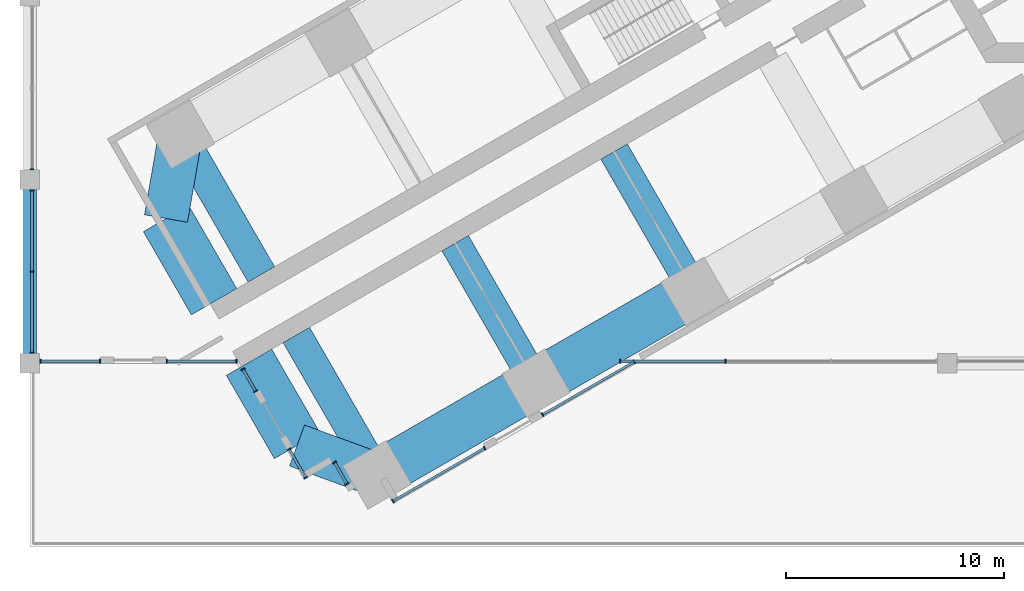
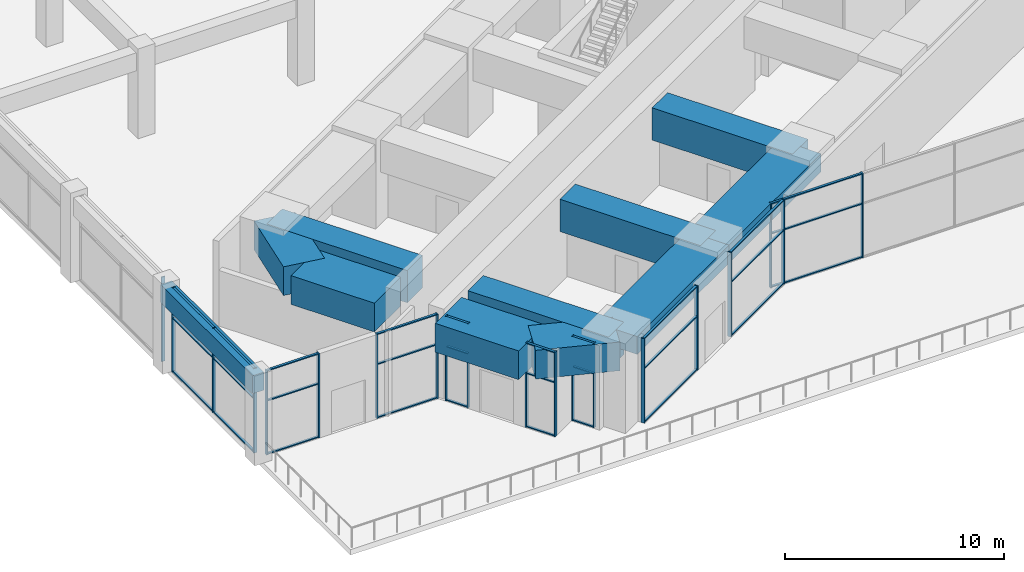
# One storey, part 2 of 34: 50 members, 11 beams, 10 elements without a shape of their own.
"""IFC4 building model written with IfcOpenShell, lengths in metres."""

from ifc_helpers import new_model, si_unit, direction, frame, origin, origin_2d, place, context, subcontext, project, spatial, rectangle, extrude, material, material_profile, profile_set, type_object, element, aggregate, save


model = new_model("IFC4")

# Units and contexts
model_context = context("Model", 3, precision=1e-05, world=origin(), true_north=direction((0.0, 1.0)))
body_context = subcontext(model_context, "Body", "Model", "MODEL_VIEW")
ifc_project = project(units=[si_unit("LENGTHUNIT", "METRE"), si_unit("AREAUNIT", "SQUARE_METRE"), si_unit("VOLUMEUNIT", "CUBIC_METRE"), si_unit("PLANEANGLEUNIT", "RADIAN"), si_unit("MASSUNIT", "GRAM", prefix="KILO")], contexts=[model_context])

# Site, building, storey
site_placement = place(None, origin())
site = spatial("IfcSite", under=ifc_project, at=site_placement, CompositionType="ELEMENT")
building_placement = place(site_placement, origin())
building = spatial("IfcBuilding", under=site, at=building_placement, Name="Impinga Residences", CompositionType="ELEMENT")
storey_placement = place(building_placement, frame((0.0, 0.0, 11.0)))
storey = spatial("IfcBuildingStorey", under=building, at=storey_placement, Name="L02", CompositionType="ELEMENT", Elevation=11.0)

# Beams
ifc_material_1 = material(Name="Concrete C60/75", Category="concrete")
ifc_material_profile_1 = material_profile(ifc_material_1, rectangle(XDim=2.0, YDim=1.60009765625, at=origin_2d()), Name="RC 2000x1600")
ifc_profile_set_1 = profile_set([ifc_material_profile_1], Name="Concrete C60/75")
beam_type_1 = type_object("IfcBeamType", Name="CB2 2000x1600 wing end cantilever beam", PredefinedType="BEAM", material=ifc_profile_set_1)
beam_1_placement = place(storey_placement, frame((-34.49853515625, -30.31005859375, 3.89990234375), z_axis=(-0.938520178725, 0.345224382289, 0.0), x_axis=(-0.345224382289, -0.938520178725, 0.0)))
element("IfcBeam", 1, at=beam_1_placement, inside=storey, type_object=beam_type_1, Name="Beam CB2 WB W5-WX level L03", PredefinedType="BEAM", context=body_context, shape_type="SweptSolid", body=[
    extrude(rectangle(XDim=2.0, YDim=1.60009765625, at=origin_2d()), origin(), (0.0, 0.0, 1.0), 3.905029296875),
])
beam_2_placement = place(storey_placement, frame((-43.49853515625, -14.721435546875, 3.89990234375), z_axis=(-0.170296298948, -0.985392901621, 0.0), x_axis=(0.985392901621, -0.170296298948, 0.0)))
element("IfcBeam", 2, at=beam_2_placement, inside=storey, type_object=beam_type_1, Name="Beam CB2 WE W5-WX level L03", PredefinedType="BEAM", context=body_context, shape_type="SweptSolid", body=[
    extrude(rectangle(XDim=2.0, YDim=1.60009765625, at=origin_2d()), origin(), (0.0, 0.0, 1.0), 3.9052734375),
])
ifc_material_profile_2 = material_profile(ifc_material_1, rectangle(XDim=1.39990234375, YDim=1.800048828125, at=origin_2d()), Name="RC 1400x1800")
ifc_profile_set_2 = profile_set([ifc_material_profile_2], Name="Concrete C60/75")
beam_type_2 = type_object("IfcBeamType", Name="CG4 1400x1800 cross girder on a wing bay line under the podium floors", PredefinedType="BEAM", material=ifc_profile_set_2)
beam_3_placement = place(storey_placement, frame((-23.649169921875, -15.50146484375, 3.800048828125), z_axis=(0.500003285667, -0.866023506795, 0.0), x_axis=(0.866023506795, 0.500003285667, 0.0)))
element("IfcBeam", 3, at=beam_3_placement, inside=storey, type_object=beam_type_2, Name="Beam CG4 W3 WC/WA level L03", PredefinedType="BEAM", context=body_context, shape_type="SweptSolid", body=[
    extrude(rectangle(XDim=1.39990234375, YDim=1.800048828125, at=origin_2d()), origin(), (0.0, 0.0, 1.0), 7.39990234375),
])
for number, where, z_axis, x_axis, name in (
    (4, (-30.923828125, -19.701416015625, 3.800048828125), (0.499988999718, -0.866031754707, 0.0), (0.866031754707, 0.499988999718, 0.0), "Beam CG4 W4 WC/WA level L03"),
    (5, (-38.198486328125, -23.9013671875, 3.800048828125), (0.499988999718, -0.866031754707, 0.0), (0.866031754707, 0.499988999718, 0.0), "Beam CG4 W5 WC/WA level L03"),
    (6, (-39.79833984375, -21.130126953125, 3.800048828125), (-0.500013743233, 0.86601746898, 0.0), (-0.86601746898, -0.500013743233, 0.0), "Beam CG4 W5 WC/WF level L03"),
):
    element("IfcBeam", number, at=place(storey_placement, frame(where, z_axis=z_axis, x_axis=x_axis)), inside=storey, type_object=beam_type_2, Name=name, PredefinedType="BEAM", context=body_context, shape_type="SweptSolid", body=[
        extrude(rectangle(XDim=1.39990234375, YDim=1.800048828125, at=origin_2d()), origin(), (0.0, 0.0, 1.0), 7.400146484375),
    ])

# Curtain wall, members
ifc_material_2 = material(Name="Aluminium stick curtain wall", Category="aluminium")
curtain_wall_type = type_object("IfcCurtainWallType", Name="CW1 podium amenity curtain wall", PredefinedType="USERDEFINED", material=ifc_material_2)
curtain_wall_1_placement = place(storey_placement, origin())
curtain_wall_1 = element("IfcCurtainWall", 7, at=curtain_wall_1_placement, inside=storey, type_object=curtain_wall_type, Name="Curtain wall CW1 L02", ObjectType="STICK CURTAIN WALL", PredefinedType="USERDEFINED")
ifc_material_3 = material(Name="Aluminium mullion", Category="aluminium")
ifc_material_profile_3 = material_profile(ifc_material_3, rectangle(XDim=0.06005859375, YDim=0.179931640625, at=origin_2d()), Name="60x180 mullion")
ifc_profile_set_3 = profile_set([ifc_material_profile_3], Name="Aluminium mullion")
member_type_1 = type_object("IfcMemberType", Name="CW1-M mullion 60x180", PredefinedType="MULLION", material=ifc_profile_set_3)
member_1_placement = place(storey_placement, frame((-35.8759765625, -30.72412109375, 0.0), z_axis=(0.0, 0.0, 1.0), x_axis=(-0.499999813995, 0.866025511175, 0.0)))
member_1 = element("IfcMember", 8, at=member_1_placement, type_object=member_type_1, Name="CW1 mullion 1", PredefinedType="MULLION", context=body_context, shape_type="SweptSolid", body=[
    extrude(rectangle(XDim=0.06005859375, YDim=0.179931640625, at=origin_2d()), origin(), (0.0, 0.0, 1.0), 4.699951171875),
])
member_2_placement = place(storey_placement, frame((-36.44580078125, -29.737060546875, 0.0), z_axis=(0.0, 0.0, 1.0), x_axis=(-0.499999813995, 0.866025511175, 0.0)))
member_2 = element("IfcMember", 9, at=member_2_placement, type_object=member_type_1, Name="CW1 mullion 2", PredefinedType="MULLION", context=body_context, shape_type="SweptSolid", body=[
    extrude(rectangle(XDim=0.06005859375, YDim=0.179931640625, at=origin_2d()), origin(), (0.0, 0.0, 1.0), 4.699951171875),
])

curtain_wall_2_placement = place(storey_placement, origin())
curtain_wall_2 = element("IfcCurtainWall", 10, at=curtain_wall_2_placement, inside=storey, type_object=curtain_wall_type, Name="Curtain wall CW1 L02", ObjectType="STICK CURTAIN WALL", PredefinedType="USERDEFINED")
member_3_placement = place(storey_placement, frame((-37.77490234375, -30.43505859375, 0.0), z_axis=(0.0, 0.0, 1.0), x_axis=(-0.499999723955, 0.866025563159, 0.0)))
member_3 = element("IfcMember", 11, at=member_3_placement, type_object=member_type_1, Name="CW1 mullion 1", PredefinedType="MULLION", context=body_context, shape_type="SweptSolid", body=[
    extrude(rectangle(XDim=0.06005859375, YDim=0.179931640625, at=origin_2d()), origin(), (0.0, 0.0, 1.0), 4.699951171875),
])
member_4_placement = place(storey_placement, frame((-38.528076171875, -29.130615234375, 0.0), z_axis=(0.0, 0.0, 1.0), x_axis=(-0.499999723955, 0.866025563159, 0.0)))
member_4 = element("IfcMember", 12, at=member_4_placement, type_object=member_type_1, Name="CW1 mullion 2", PredefinedType="MULLION", context=body_context, shape_type="SweptSolid", body=[
    extrude(rectangle(XDim=0.06005859375, YDim=0.179931640625, at=origin_2d()), origin(), (0.0, 0.0, 1.0), 4.699951171875),
])

curtain_wall_3_placement = place(storey_placement, origin())
curtain_wall_3 = element("IfcCurtainWall", 13, at=curtain_wall_3_placement, inside=storey, type_object=curtain_wall_type, Name="Curtain wall CW1 L02", ObjectType="STICK CURTAIN WALL", PredefinedType="USERDEFINED")
member_5_placement = place(storey_placement, frame((-40.05810546875, -26.48046875, 0.0), z_axis=(0.0, 0.0, 1.0), x_axis=(-0.500000310039, 0.866025224783, 0.0)))
member_5 = element("IfcMember", 14, at=member_5_placement, type_object=member_type_1, Name="CW1 mullion 1", PredefinedType="MULLION", context=body_context, shape_type="SweptSolid", body=[
    extrude(rectangle(XDim=0.06005859375, YDim=0.179931640625, at=origin_2d()), origin(), (0.0, 0.0, 1.0), 4.699951171875),
])
member_6_placement = place(storey_placement, frame((-40.637939453125, -25.47607421875, 0.0), z_axis=(0.0, 0.0, 1.0), x_axis=(-0.500000310039, 0.866025224783, 0.0)))
member_6 = element("IfcMember", 15, at=member_6_placement, type_object=member_type_1, Name="CW1 mullion 2", PredefinedType="MULLION", context=body_context, shape_type="SweptSolid", body=[
    extrude(rectangle(XDim=0.06005859375, YDim=0.179931640625, at=origin_2d()), origin(), (0.0, 0.0, 1.0), 4.699951171875),
])

curtain_wall_4_placement = place(storey_placement, origin())
curtain_wall_4 = element("IfcCurtainWall", 16, at=curtain_wall_4_placement, inside=storey, type_object=curtain_wall_type, Name="Curtain wall CW1 L02", ObjectType="STICK CURTAIN WALL", PredefinedType="USERDEFINED")
member_7_placement = place(storey_placement, frame((-40.94287109375, -25.10009765625, 0.0), z_axis=(0.0, 0.0, 1.0), x_axis=(-1.0, 0.0, 0.0)))
member_7 = element("IfcMember", 17, at=member_7_placement, type_object=member_type_1, Name="CW1 mullion 1", PredefinedType="MULLION", context=body_context, shape_type="SweptSolid", body=[
    extrude(rectangle(XDim=0.06005859375, YDim=0.179931640625, at=origin_2d()), origin(), (0.0, 0.0, 1.0), 4.699951171875),
])
member_8_placement = place(storey_placement, frame((-44.12646484375, -25.10009765625, 0.0), z_axis=(0.0, 0.0, 1.0), x_axis=(-1.0, 0.0, 0.0)))
member_8 = element("IfcMember", 18, at=member_8_placement, type_object=member_type_1, Name="CW1 mullion 2", PredefinedType="MULLION", context=body_context, shape_type="SweptSolid", body=[
    extrude(rectangle(XDim=0.06005859375, YDim=0.179931640625, at=origin_2d()), origin(), (0.0, 0.0, 1.0), 4.699951171875),
])

curtain_wall_5_placement = place(storey_placement, origin())
curtain_wall_5 = element("IfcCurtainWall", 19, at=curtain_wall_5_placement, inside=storey, type_object=curtain_wall_type, Name="Curtain wall CW1 L02", ObjectType="STICK CURTAIN WALL", PredefinedType="USERDEFINED")
member_9_placement = place(storey_placement, frame((-47.1865234375, -25.10009765625, 0.0), z_axis=(0.0, 0.0, 1.0), x_axis=(-1.0, 0.0, 0.0)))
member_9 = element("IfcMember", 20, at=member_9_placement, type_object=member_type_1, Name="CW1 mullion 1", PredefinedType="MULLION", context=body_context, shape_type="SweptSolid", body=[
    extrude(rectangle(XDim=0.06005859375, YDim=0.179931640625, at=origin_2d()), origin(), (0.0, 0.0, 1.0), 4.699951171875),
])
member_10_placement = place(storey_placement, frame((-49.9169921875, -25.10009765625, 0.0), z_axis=(0.0, 0.0, 1.0), x_axis=(-1.0, 0.0, 0.0)))
member_10 = element("IfcMember", 21, at=member_10_placement, type_object=member_type_1, Name="CW1 mullion 2", PredefinedType="MULLION", context=body_context, shape_type="SweptSolid", body=[
    extrude(rectangle(XDim=0.06005859375, YDim=0.179931640625, at=origin_2d()), origin(), (0.0, 0.0, 1.0), 4.699951171875),
])

curtain_wall_6_placement = place(storey_placement, origin())
curtain_wall_6 = element("IfcCurtainWall", 22, at=curtain_wall_6_placement, inside=storey, type_object=curtain_wall_type, Name="Curtain wall CW1 L02", ObjectType="STICK CURTAIN WALL", PredefinedType="USERDEFINED")
member_11_placement = place(storey_placement, frame((-50.300048828125, -24.717041015625, 0.0), z_axis=(0.0, 0.0, 1.0), x_axis=(0.0, 1.0, 0.0)))
member_11 = element("IfcMember", 23, at=member_11_placement, type_object=member_type_1, Name="CW1 mullion 1", PredefinedType="MULLION", context=body_context, shape_type="SweptSolid", body=[
    extrude(rectangle(XDim=0.06005859375, YDim=0.179931640625, at=origin_2d()), origin(), (0.0, 0.0, 1.0), 4.699951171875),
])
member_12_placement = place(storey_placement, frame((-50.300048828125, -21.0, 0.0), z_axis=(0.0, 0.0, 1.0), x_axis=(0.0, 1.0, 0.0)))
member_12 = element("IfcMember", 24, at=member_12_placement, type_object=member_type_1, Name="CW1 mullion 2", PredefinedType="MULLION", context=body_context, shape_type="SweptSolid", body=[
    extrude(rectangle(XDim=0.06005859375, YDim=0.179931640625, at=origin_2d()), origin(), (0.0, 0.0, 1.0), 4.699951171875),
])
member_13_placement = place(storey_placement, frame((-50.300048828125, -17.282958984375, 0.0), z_axis=(0.0, 0.0, 1.0), x_axis=(0.0, 1.0, 0.0)))
member_13 = element("IfcMember", 25, at=member_13_placement, type_object=member_type_1, Name="CW1 mullion 3", PredefinedType="MULLION", context=body_context, shape_type="SweptSolid", body=[
    extrude(rectangle(XDim=0.06005859375, YDim=0.179931640625, at=origin_2d()), origin(), (0.0, 0.0, 1.0), 4.699951171875),
])

# Curtain wall, member
curtain_wall_7_placement = place(storey_placement, origin())
curtain_wall_7 = element("IfcCurtainWall", 26, at=curtain_wall_7_placement, inside=storey, type_object=curtain_wall_type, Name="Curtain wall CW1 L02", ObjectType="STICK CURTAIN WALL", PredefinedType="USERDEFINED")
member_14_placement = place(storey_placement, frame((-50.300048828125, -16.31689453125, 0.0), z_axis=(0.0, 0.0, 1.0), x_axis=(0.0, 1.0, 0.0)))
member_14 = element("IfcMember", 27, at=member_14_placement, type_object=member_type_1, Name="CW1 mullion 1", PredefinedType="MULLION", context=body_context, shape_type="SweptSolid", body=[
    extrude(rectangle(XDim=0.06005859375, YDim=0.179931640625, at=origin_2d()), origin(), (0.0, 0.0, 1.0), 4.699951171875),
])
aggregate(curtain_wall_7, [member_14])

# Curtain wall, members
curtain_wall_8_placement = place(storey_placement, origin())
curtain_wall_8 = element("IfcCurtainWall", 28, at=curtain_wall_8_placement, inside=storey, type_object=curtain_wall_type, Name="Curtain wall CW1 L02", ObjectType="STICK CURTAIN WALL", PredefinedType="USERDEFINED")
member_15_placement = place(storey_placement, frame((-18.547119140625, -25.10009765625, 0.0), z_axis=(0.0, 0.0, 1.0), x_axis=(-1.0, 0.0, 0.0)))
member_15 = element("IfcMember", 29, at=member_15_placement, type_object=member_type_1, Name="CW1 mullion 3", PredefinedType="MULLION", context=body_context, shape_type="SweptSolid", body=[
    extrude(rectangle(XDim=0.06005859375, YDim=0.179931640625, at=origin_2d()), origin(), (0.0, 0.0, 1.0), 4.699951171875),
])
member_16_placement = place(storey_placement, frame((-23.364013671875, -25.10009765625, 0.0), z_axis=(0.0, 0.0, 1.0), x_axis=(-1.0, 0.0, 0.0)))
member_16 = element("IfcMember", 30, at=member_16_placement, type_object=member_type_1, Name="CW1 mullion 4", PredefinedType="MULLION", context=body_context, shape_type="SweptSolid", body=[
    extrude(rectangle(XDim=0.06005859375, YDim=0.179931640625, at=origin_2d()), origin(), (0.0, 0.0, 1.0), 4.699951171875),
])

curtain_wall_9_placement = place(storey_placement, origin())
curtain_wall_9 = element("IfcCurtainWall", 31, at=curtain_wall_9_placement, inside=storey, type_object=curtain_wall_type, Name="Curtain wall CW1 L02", ObjectType="STICK CURTAIN WALL", PredefinedType="USERDEFINED")
member_17_placement = place(storey_placement, frame((-22.7236328125, -25.12841796875, 0.0), z_axis=(0.0, 0.0, 1.0), x_axis=(-0.866025358764, -0.500000077978, 0.0)))
member_17 = element("IfcMember", 32, at=member_17_placement, type_object=member_type_1, Name="CW1 mullion 1", PredefinedType="MULLION", context=body_context, shape_type="SweptSolid", body=[
    extrude(rectangle(XDim=0.06005859375, YDim=0.179931640625, at=origin_2d()), origin(), (0.0, 0.0, 1.0), 4.699951171875),
])
member_18_placement = place(storey_placement, frame((-26.923095703125, -27.552978515625, 0.0), z_axis=(0.0, 0.0, 1.0), x_axis=(-0.866025358764, -0.500000077978, 0.0)))
member_18 = element("IfcMember", 33, at=member_18_placement, type_object=member_type_1, Name="CW1 mullion 2", PredefinedType="MULLION", context=body_context, shape_type="SweptSolid", body=[
    extrude(rectangle(XDim=0.06005859375, YDim=0.179931640625, at=origin_2d()), origin(), (0.0, 0.0, 1.0), 4.699951171875),
])

curtain_wall_10_placement = place(storey_placement, origin())
curtain_wall_10 = element("IfcCurtainWall", 34, at=curtain_wall_10_placement, inside=storey, type_object=curtain_wall_type, Name="Curtain wall CW1 L02", ObjectType="STICK CURTAIN WALL", PredefinedType="USERDEFINED")
member_19_placement = place(storey_placement, frame((-29.572998046875, -29.0830078125, 0.0), z_axis=(0.0, 0.0, 1.0), x_axis=(-0.866025446964, -0.499999925211, 0.0)))
member_19 = element("IfcMember", 35, at=member_19_placement, type_object=member_type_1, Name="CW1 mullion 1", PredefinedType="MULLION", context=body_context, shape_type="SweptSolid", body=[
    extrude(rectangle(XDim=0.06005859375, YDim=0.179931640625, at=origin_2d()), origin(), (0.0, 0.0, 1.0), 4.699951171875),
])
member_20_placement = place(storey_placement, frame((-33.7724609375, -31.50732421875, 0.0), z_axis=(0.0, 0.0, 1.0), x_axis=(-0.866025446964, -0.499999925211, 0.0)))
member_20 = element("IfcMember", 36, at=member_20_placement, type_object=member_type_1, Name="CW1 mullion 2", PredefinedType="MULLION", context=body_context, shape_type="SweptSolid", body=[
    extrude(rectangle(XDim=0.06005859375, YDim=0.179931640625, at=origin_2d()), origin(), (0.0, 0.0, 1.0), 4.699951171875),
])

# Member
ifc_material_4 = material(Name="Aluminium transom", Category="aluminium")
ifc_material_profile_4 = material_profile(ifc_material_4, rectangle(XDim=0.06005859375, YDim=0.1201171875, at=origin_2d()), Name="60x120 transom")
ifc_profile_set_4 = profile_set([ifc_material_profile_4], Name="Aluminium transom")
member_type_2 = type_object("IfcMemberType", Name="CW1-T transom 60x120", PredefinedType="USERDEFINED", material=ifc_profile_set_4)
member_21_placement = place(storey_placement, frame((-35.890869140625, -30.6982421875, 0.030029296875), z_axis=(-0.500029011134, 0.866008653551, 0.0), x_axis=(0.0, 0.0, 1.0)))
member_21 = element("IfcMember", 37, at=member_21_placement, type_object=member_type_2, Name="CW1 transom 1.1", ObjectType="TRANSOM", PredefinedType="USERDEFINED", context=body_context, shape_type="SweptSolid", body=[
    extrude(rectangle(XDim=0.06005859375, YDim=0.1201171875, at=origin_2d()), origin(), (0.0, 0.0, 1.0), 1.080078125),
])

member_22_placement = place(storey_placement, frame((-35.890869140625, -30.6982421875, 3.0), z_axis=(-0.500029011134, 0.866008653551, 0.0), x_axis=(0.0, 0.0, 1.0)))
member_22 = element("IfcMember", 38, at=member_22_placement, type_object=member_type_2, Name="CW1 transom 1.2", ObjectType="TRANSOM", PredefinedType="USERDEFINED", context=body_context, shape_type="SweptSolid", body=[
    extrude(rectangle(XDim=0.06005859375, YDim=0.1201171875, at=origin_2d()), origin(), (0.0, 0.0, 1.0), 1.080078125),
])

member_23_placement = place(storey_placement, frame((-35.890869140625, -30.6982421875, 4.669921875), z_axis=(-0.500029011134, 0.866008653551, 0.0), x_axis=(0.0, 0.0, 1.0)))
member_23 = element("IfcMember", 39, at=member_23_placement, type_object=member_type_2, Name="CW1 transom 1.3", ObjectType="TRANSOM", PredefinedType="USERDEFINED", context=body_context, shape_type="SweptSolid", body=[
    extrude(rectangle(XDim=0.06005859375, YDim=0.1201171875, at=origin_2d()), origin(), (0.0, 0.0, 1.0), 1.080078125),
])

aggregate(curtain_wall_1, [member_1, member_2, member_21, member_22, member_23])

member_24_placement = place(storey_placement, frame((-37.7900390625, -30.408935546875, 0.030029296875), z_axis=(-0.500024450573, 0.866011286779, 0.0), x_axis=(0.0, 0.0, 1.0)))
member_24 = element("IfcMember", 40, at=member_24_placement, type_object=member_type_2, Name="CW1 transom 1.1", ObjectType="TRANSOM", PredefinedType="USERDEFINED", context=body_context, shape_type="SweptSolid", body=[
    extrude(rectangle(XDim=0.06005859375, YDim=0.1201171875, at=origin_2d()), origin(), (0.0, 0.0, 1.0), 1.4462890625),
])

member_25_placement = place(storey_placement, frame((-37.7900390625, -30.408935546875, 3.0), z_axis=(-0.500024450573, 0.866011286779, 0.0), x_axis=(0.0, 0.0, 1.0)))
member_25 = element("IfcMember", 41, at=member_25_placement, type_object=member_type_2, Name="CW1 transom 1.2", ObjectType="TRANSOM", PredefinedType="USERDEFINED", context=body_context, shape_type="SweptSolid", body=[
    extrude(rectangle(XDim=0.06005859375, YDim=0.1201171875, at=origin_2d()), origin(), (0.0, 0.0, 1.0), 1.4462890625),
])

member_26_placement = place(storey_placement, frame((-37.7900390625, -30.408935546875, 4.669921875), z_axis=(-0.500024450573, 0.866011286779, 0.0), x_axis=(0.0, 0.0, 1.0)))
member_26 = element("IfcMember", 42, at=member_26_placement, type_object=member_type_2, Name="CW1 transom 1.3", ObjectType="TRANSOM", PredefinedType="USERDEFINED", context=body_context, shape_type="SweptSolid", body=[
    extrude(rectangle(XDim=0.06005859375, YDim=0.1201171875, at=origin_2d()), origin(), (0.0, 0.0, 1.0), 1.4462890625),
])

aggregate(curtain_wall_2, [member_3, member_4, member_24, member_25, member_26])

member_27_placement = place(storey_placement, frame((-40.072998046875, -26.45458984375, 0.030029296875), z_axis=(-0.50002983664, 0.866008176907, 0.0), x_axis=(0.0, 0.0, 1.0)))
member_27 = element("IfcMember", 43, at=member_27_placement, type_object=member_type_2, Name="CW1 transom 1.1", ObjectType="TRANSOM", PredefinedType="USERDEFINED", context=body_context, shape_type="SweptSolid", body=[
    extrude(rectangle(XDim=0.06005859375, YDim=0.1201171875, at=origin_2d()), origin(), (0.0, 0.0, 1.0), 1.10009765625),
])

member_28_placement = place(storey_placement, frame((-40.072998046875, -26.45458984375, 3.0), z_axis=(-0.50002983664, 0.866008176907, 0.0), x_axis=(0.0, 0.0, 1.0)))
member_28 = element("IfcMember", 44, at=member_28_placement, type_object=member_type_2, Name="CW1 transom 1.2", ObjectType="TRANSOM", PredefinedType="USERDEFINED", context=body_context, shape_type="SweptSolid", body=[
    extrude(rectangle(XDim=0.06005859375, YDim=0.1201171875, at=origin_2d()), origin(), (0.0, 0.0, 1.0), 1.10009765625),
])

member_29_placement = place(storey_placement, frame((-40.072998046875, -26.45458984375, 4.669921875), z_axis=(-0.50002983664, 0.866008176907, 0.0), x_axis=(0.0, 0.0, 1.0)))
member_29 = element("IfcMember", 45, at=member_29_placement, type_object=member_type_2, Name="CW1 transom 1.3", ObjectType="TRANSOM", PredefinedType="USERDEFINED", context=body_context, shape_type="SweptSolid", body=[
    extrude(rectangle(XDim=0.06005859375, YDim=0.1201171875, at=origin_2d()), origin(), (0.0, 0.0, 1.0), 1.10009765625),
])

aggregate(curtain_wall_3, [member_5, member_6, member_27, member_28, member_29])

member_30_placement = place(storey_placement, frame((-40.972900390625, -25.10009765625, 0.030029296875), z_axis=(-1.0, 0.0, 0.0), x_axis=(0.0, 0.0, 1.0)))
member_30 = element("IfcMember", 46, at=member_30_placement, type_object=member_type_2, Name="CW1 transom 1.1", ObjectType="TRANSOM", PredefinedType="USERDEFINED", context=body_context, shape_type="SweptSolid", body=[
    extrude(rectangle(XDim=0.06005859375, YDim=0.1201171875, at=origin_2d()), origin(), (0.0, 0.0, 1.0), 3.12353515625),
])

member_31_placement = place(storey_placement, frame((-40.972900390625, -25.10009765625, 3.0), z_axis=(-1.0, 0.0, 0.0), x_axis=(0.0, 0.0, 1.0)))
member_31 = element("IfcMember", 47, at=member_31_placement, type_object=member_type_2, Name="CW1 transom 1.2", ObjectType="TRANSOM", PredefinedType="USERDEFINED", context=body_context, shape_type="SweptSolid", body=[
    extrude(rectangle(XDim=0.06005859375, YDim=0.1201171875, at=origin_2d()), origin(), (0.0, 0.0, 1.0), 3.12353515625),
])

member_32_placement = place(storey_placement, frame((-40.972900390625, -25.10009765625, 4.669921875), z_axis=(-1.0, 0.0, 0.0), x_axis=(0.0, 0.0, 1.0)))
member_32 = element("IfcMember", 48, at=member_32_placement, type_object=member_type_2, Name="CW1 transom 1.3", ObjectType="TRANSOM", PredefinedType="USERDEFINED", context=body_context, shape_type="SweptSolid", body=[
    extrude(rectangle(XDim=0.06005859375, YDim=0.1201171875, at=origin_2d()), origin(), (0.0, 0.0, 1.0), 3.12353515625),
])

aggregate(curtain_wall_4, [member_7, member_8, member_30, member_31, member_32])

member_33_placement = place(storey_placement, frame((-47.21630859375, -25.10009765625, 0.030029296875), z_axis=(-1.0, 0.0, 0.0), x_axis=(0.0, 0.0, 1.0)))
member_33 = element("IfcMember", 49, at=member_33_placement, type_object=member_type_2, Name="CW1 transom 1.1", ObjectType="TRANSOM", PredefinedType="USERDEFINED", context=body_context, shape_type="SweptSolid", body=[
    extrude(rectangle(XDim=0.06005859375, YDim=0.1201171875, at=origin_2d()), origin(), (0.0, 0.0, 1.0), 2.670654296875),
])

member_34_placement = place(storey_placement, frame((-47.21630859375, -25.10009765625, 3.0), z_axis=(-1.0, 0.0, 0.0), x_axis=(0.0, 0.0, 1.0)))
member_34 = element("IfcMember", 50, at=member_34_placement, type_object=member_type_2, Name="CW1 transom 1.2", ObjectType="TRANSOM", PredefinedType="USERDEFINED", context=body_context, shape_type="SweptSolid", body=[
    extrude(rectangle(XDim=0.06005859375, YDim=0.1201171875, at=origin_2d()), origin(), (0.0, 0.0, 1.0), 2.670654296875),
])

member_35_placement = place(storey_placement, frame((-47.21630859375, -25.10009765625, 4.669921875), z_axis=(-1.0, 0.0, 0.0), x_axis=(0.0, 0.0, 1.0)))
member_35 = element("IfcMember", 51, at=member_35_placement, type_object=member_type_2, Name="CW1 transom 1.3", ObjectType="TRANSOM", PredefinedType="USERDEFINED", context=body_context, shape_type="SweptSolid", body=[
    extrude(rectangle(XDim=0.06005859375, YDim=0.1201171875, at=origin_2d()), origin(), (0.0, 0.0, 1.0), 2.670654296875),
])

aggregate(curtain_wall_5, [member_9, member_10, member_33, member_34, member_35])

member_36_placement = place(storey_placement, frame((-50.300048828125, -24.68701171875, 0.030029296875), z_axis=(0.0, 1.0, 0.0), x_axis=(0.0, 0.0, 1.0)))
member_36 = element("IfcMember", 52, at=member_36_placement, type_object=member_type_2, Name="CW1 transom 1.1", ObjectType="TRANSOM", PredefinedType="USERDEFINED", context=body_context, shape_type="SweptSolid", body=[
    extrude(rectangle(XDim=0.06005859375, YDim=0.1201171875, at=origin_2d()), origin(), (0.0, 0.0, 1.0), 3.656982421875),
])

member_37_placement = place(storey_placement, frame((-50.300048828125, -24.68701171875, 3.0), z_axis=(0.0, 1.0, 0.0), x_axis=(0.0, 0.0, 1.0)))
member_37 = element("IfcMember", 53, at=member_37_placement, type_object=member_type_2, Name="CW1 transom 1.2", ObjectType="TRANSOM", PredefinedType="USERDEFINED", context=body_context, shape_type="SweptSolid", body=[
    extrude(rectangle(XDim=0.06005859375, YDim=0.1201171875, at=origin_2d()), origin(), (0.0, 0.0, 1.0), 3.656982421875),
])

member_38_placement = place(storey_placement, frame((-50.300048828125, -24.68701171875, 4.669921875), z_axis=(0.0, 1.0, 0.0), x_axis=(0.0, 0.0, 1.0)))
member_38 = element("IfcMember", 54, at=member_38_placement, type_object=member_type_2, Name="CW1 transom 1.3", ObjectType="TRANSOM", PredefinedType="USERDEFINED", context=body_context, shape_type="SweptSolid", body=[
    extrude(rectangle(XDim=0.06005859375, YDim=0.1201171875, at=origin_2d()), origin(), (0.0, 0.0, 1.0), 3.656982421875),
])

member_39_placement = place(storey_placement, frame((-50.300048828125, -20.969970703125, 0.030029296875), z_axis=(0.0, 1.0, 0.0), x_axis=(0.0, 0.0, 1.0)))
member_39 = element("IfcMember", 55, at=member_39_placement, type_object=member_type_2, Name="CW1 transom 2.1", ObjectType="TRANSOM", PredefinedType="USERDEFINED", context=body_context, shape_type="SweptSolid", body=[
    extrude(rectangle(XDim=0.06005859375, YDim=0.1201171875, at=origin_2d()), origin(), (0.0, 0.0, 1.0), 3.656982421875),
])

member_40_placement = place(storey_placement, frame((-50.300048828125, -20.969970703125, 3.0), z_axis=(0.0, 1.0, 0.0), x_axis=(0.0, 0.0, 1.0)))
member_40 = element("IfcMember", 56, at=member_40_placement, type_object=member_type_2, Name="CW1 transom 2.2", ObjectType="TRANSOM", PredefinedType="USERDEFINED", context=body_context, shape_type="SweptSolid", body=[
    extrude(rectangle(XDim=0.06005859375, YDim=0.1201171875, at=origin_2d()), origin(), (0.0, 0.0, 1.0), 3.656982421875),
])

member_41_placement = place(storey_placement, frame((-50.300048828125, -20.969970703125, 4.669921875), z_axis=(0.0, 1.0, 0.0), x_axis=(0.0, 0.0, 1.0)))
member_41 = element("IfcMember", 57, at=member_41_placement, type_object=member_type_2, Name="CW1 transom 2.3", ObjectType="TRANSOM", PredefinedType="USERDEFINED", context=body_context, shape_type="SweptSolid", body=[
    extrude(rectangle(XDim=0.06005859375, YDim=0.1201171875, at=origin_2d()), origin(), (0.0, 0.0, 1.0), 3.656982421875),
])

aggregate(curtain_wall_6, [member_11, member_12, member_13, member_36, member_37, member_38, member_39, member_40, member_41])

member_42_placement = place(storey_placement, frame((-18.5771484375, -25.10009765625, 0.030029296875), z_axis=(-1.0, 0.0, 0.0), x_axis=(0.0, 0.0, 1.0)))
member_42 = element("IfcMember", 58, at=member_42_placement, type_object=member_type_2, Name="CW1 transom 3.1", ObjectType="TRANSOM", PredefinedType="USERDEFINED", context=body_context, shape_type="SweptSolid", body=[
    extrude(rectangle(XDim=0.06005859375, YDim=0.1201171875, at=origin_2d()), origin(), (0.0, 0.0, 1.0), 4.7568359375),
])

member_43_placement = place(storey_placement, frame((-18.5771484375, -25.10009765625, 3.0), z_axis=(-1.0, 0.0, 0.0), x_axis=(0.0, 0.0, 1.0)))
member_43 = element("IfcMember", 59, at=member_43_placement, type_object=member_type_2, Name="CW1 transom 3.2", ObjectType="TRANSOM", PredefinedType="USERDEFINED", context=body_context, shape_type="SweptSolid", body=[
    extrude(rectangle(XDim=0.06005859375, YDim=0.1201171875, at=origin_2d()), origin(), (0.0, 0.0, 1.0), 4.7568359375),
])

member_44_placement = place(storey_placement, frame((-18.5771484375, -25.10009765625, 4.669921875), z_axis=(-1.0, 0.0, 0.0), x_axis=(0.0, 0.0, 1.0)))
member_44 = element("IfcMember", 60, at=member_44_placement, type_object=member_type_2, Name="CW1 transom 3.3", ObjectType="TRANSOM", PredefinedType="USERDEFINED", context=body_context, shape_type="SweptSolid", body=[
    extrude(rectangle(XDim=0.06005859375, YDim=0.1201171875, at=origin_2d()), origin(), (0.0, 0.0, 1.0), 4.7568359375),
])

aggregate(curtain_wall_8, [member_15, member_16, member_42, member_43, member_44])

member_45_placement = place(storey_placement, frame((-22.749755859375, -25.143310546875, 0.030029296875), z_axis=(-0.866013240487, -0.500021066857, 0.0), x_axis=(0.0, 0.0, 1.0)))
member_45 = element("IfcMember", 61, at=member_45_placement, type_object=member_type_2, Name="CW1 transom 1.1", ObjectType="TRANSOM", PredefinedType="USERDEFINED", context=body_context, shape_type="SweptSolid", body=[
    extrude(rectangle(XDim=0.06005859375, YDim=0.1201171875, at=origin_2d()), origin(), (0.0, 0.0, 1.0), 4.788818359375),
])

member_46_placement = place(storey_placement, frame((-22.749755859375, -25.143310546875, 3.0), z_axis=(-0.866013240487, -0.500021066857, 0.0), x_axis=(0.0, 0.0, 1.0)))
member_46 = element("IfcMember", 62, at=member_46_placement, type_object=member_type_2, Name="CW1 transom 1.2", ObjectType="TRANSOM", PredefinedType="USERDEFINED", context=body_context, shape_type="SweptSolid", body=[
    extrude(rectangle(XDim=0.06005859375, YDim=0.1201171875, at=origin_2d()), origin(), (0.0, 0.0, 1.0), 4.788818359375),
])

member_47_placement = place(storey_placement, frame((-22.749755859375, -25.143310546875, 4.669921875), z_axis=(-0.866013240487, -0.500021066857, 0.0), x_axis=(0.0, 0.0, 1.0)))
member_47 = element("IfcMember", 63, at=member_47_placement, type_object=member_type_2, Name="CW1 transom 1.3", ObjectType="TRANSOM", PredefinedType="USERDEFINED", context=body_context, shape_type="SweptSolid", body=[
    extrude(rectangle(XDim=0.06005859375, YDim=0.1201171875, at=origin_2d()), origin(), (0.0, 0.0, 1.0), 4.788818359375),
])

aggregate(curtain_wall_9, [member_17, member_18, member_45, member_46, member_47])

member_48_placement = place(storey_placement, frame((-29.59912109375, -29.097900390625, 0.030029296875), z_axis=(-0.866025985952, -0.499998991654, 0.0), x_axis=(0.0, 0.0, 1.0)))
member_48 = element("IfcMember", 64, at=member_48_placement, type_object=member_type_2, Name="CW1 transom 1.1", ObjectType="TRANSOM", PredefinedType="USERDEFINED", context=body_context, shape_type="SweptSolid", body=[
    extrude(rectangle(XDim=0.06005859375, YDim=0.1201171875, at=origin_2d()), origin(), (0.0, 0.0, 1.0), 4.7890625),
])

member_49_placement = place(storey_placement, frame((-29.59912109375, -29.097900390625, 3.0), z_axis=(-0.866025985952, -0.499998991654, 0.0), x_axis=(0.0, 0.0, 1.0)))
member_49 = element("IfcMember", 65, at=member_49_placement, type_object=member_type_2, Name="CW1 transom 1.2", ObjectType="TRANSOM", PredefinedType="USERDEFINED", context=body_context, shape_type="SweptSolid", body=[
    extrude(rectangle(XDim=0.06005859375, YDim=0.1201171875, at=origin_2d()), origin(), (0.0, 0.0, 1.0), 4.7890625),
])

member_50_placement = place(storey_placement, frame((-29.59912109375, -29.097900390625, 4.669921875), z_axis=(-0.866025985952, -0.499998991654, 0.0), x_axis=(0.0, 0.0, 1.0)))
member_50 = element("IfcMember", 66, at=member_50_placement, type_object=member_type_2, Name="CW1 transom 1.3", ObjectType="TRANSOM", PredefinedType="USERDEFINED", context=body_context, shape_type="SweptSolid", body=[
    extrude(rectangle(XDim=0.06005859375, YDim=0.1201171875, at=origin_2d()), origin(), (0.0, 0.0, 1.0), 4.7890625),
])

aggregate(curtain_wall_10, [member_19, member_20, member_48, member_49, member_50])

# Beams
ifc_material_profile_5 = material_profile(ifc_material_1, rectangle(XDim=2.39990234375, YDim=1.60009765625, at=origin_2d()), Name="RC 2400x1600")
ifc_profile_set_5 = profile_set([ifc_material_profile_5], Name="Concrete C60/75")
beam_type_3 = type_object("IfcBeamType", Name="EB2 2400x1600 wing end beam", PredefinedType="BEAM", material=ifc_profile_set_5)
for number, where, z_axis, x_axis, name in (
    (67, (-38.16357421875, -28.9619140625, 3.89990234375), (-0.499988222896, 0.866032203192, 0.0), (-0.866032203192, -0.499988222896, 0.0), "Beam EB2 WX4 level L03"),
    (68, (-41.963623046875, -22.380126953125, 3.89990234375), (-0.499988222896, 0.866032203192, 0.0), (-0.866032203192, -0.499988222896, 0.0), "Beam EB2 WX4 level L03"),
):
    element("IfcBeam", number, at=place(storey_placement, frame(where, z_axis=z_axis, x_axis=x_axis)), inside=storey, type_object=beam_type_3, Name=name, PredefinedType="BEAM", context=body_context, shape_type="SweptSolid", body=[
        extrude(rectangle(XDim=2.39990234375, YDim=1.60009765625, at=origin_2d()), origin(), (0.0, 0.0, 1.0), 4.39990234375),
    ])
ifc_material_profile_6 = material_profile(ifc_material_1, rectangle(XDim=0.60009765625, YDim=1.0, at=origin_2d()), Name="RC 600x1000")
ifc_profile_set_6 = profile_set([ifc_material_profile_6], Name="Concrete C60/75")
beam_type_4 = type_object("IfcBeamType", Name="PB2 600x1000 podium beam", PredefinedType="BEAM", material=ifc_profile_set_6)
beam_4_placement = place(storey_placement, frame((-50.39990234375, -25.199951171875, 4.199951171875), z_axis=(0.0, 1.0, 0.0), x_axis=(-1.0, 0.0, 0.0)))
element("IfcBeam", 69, at=beam_4_placement, inside=storey, type_object=beam_type_4, Name="Beam PB2 1/C-D level L03", PredefinedType="BEAM", context=body_context, shape_type="SweptSolid", body=[
    extrude(rectangle(XDim=0.60009765625, YDim=1.0, at=origin_2d()), origin(), (0.0, 0.0, 1.0), 8.39990234375),
])
ifc_material_profile_7 = material_profile(ifc_material_1, rectangle(XDim=2.199951171875, YDim=1.0, at=origin_2d()), Name="RC 2200x1000")
ifc_profile_set_7 = profile_set([ifc_material_profile_7], Name="Concrete C60/75")
beam_type_5 = type_object("IfcBeamType", Name="PB3 2200x1000 podium band beam", PredefinedType="BEAM", material=ifc_profile_set_7)
beam_5_placement = place(storey_placement, frame((-19.94921875, -21.909912109375, 4.199951171875), z_axis=(-0.866016669275, -0.500015128309, 0.0), x_axis=(0.500015128309, -0.866016669275, 0.0)))
element("IfcBeam", 70, at=beam_5_placement, inside=storey, type_object=beam_type_5, Name="Beam PB3 WA W3-W4 level L03", PredefinedType="BEAM", context=body_context, shape_type="SweptSolid", body=[
    extrude(rectangle(XDim=2.199951171875, YDim=1.0, at=origin_2d()), origin(), (0.0, 0.0, 1.0), 8.400146484375),
])
beam_6_placement = place(storey_placement, frame((-27.223876953125, -26.110107421875, 4.199951171875), z_axis=(-0.86602925447, -0.499993330357, 0.0), x_axis=(0.499993330357, -0.86602925447, 0.0)))
element("IfcBeam", 71, at=beam_6_placement, inside=storey, type_object=beam_type_5, Name="Beam PB3 WA W4-W5 level L03", PredefinedType="BEAM", context=body_context, shape_type="SweptSolid", body=[
    extrude(rectangle(XDim=2.199951171875, YDim=1.0, at=origin_2d()), origin(), (0.0, 0.0, 1.0), 8.39990234375),
])

save(model, "model.ifc")
